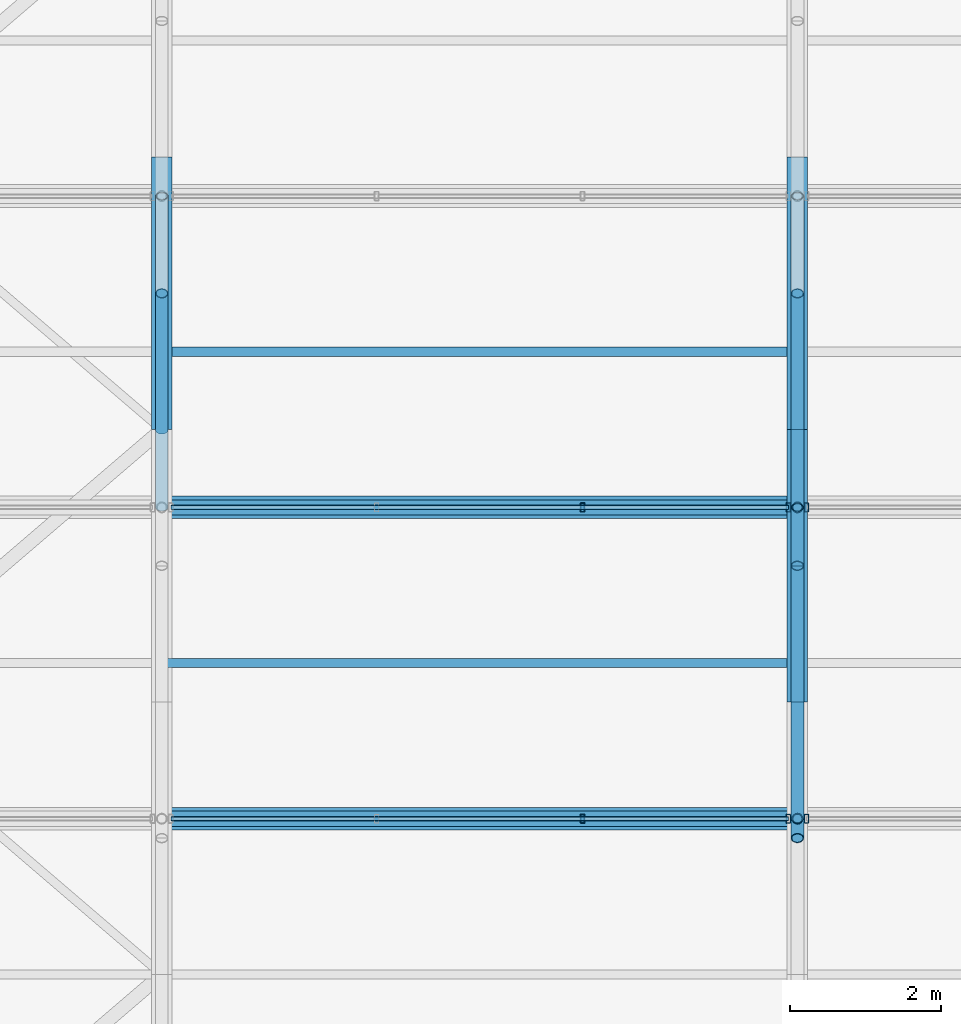
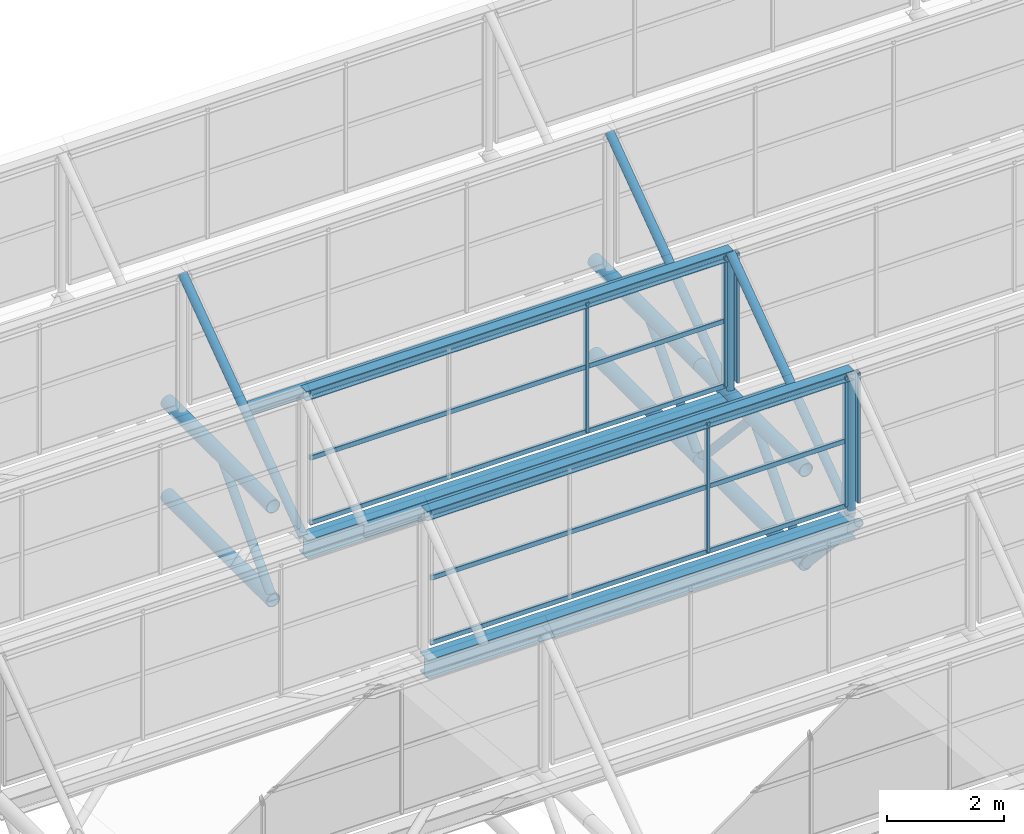
# One storey, part 61 of 134: 28 members, 6 beams, 4 elements without a shape of their own.
"""IFC4 building model written with IfcOpenShell, lengths in metres."""

from ifc_helpers import new_model, si_unit, derived_unit, direction, frame, origin, origin_2d, place, context, subcontext, project, spatial, hollow_rectangle, hollow_circle, i_section, extrude, material, material_profile, profile_set, type_object, element, aggregate, save


model = new_model("IFC4")

# Units and contexts
model_context = context("Model", 3, precision=1e-05, world=origin(), true_north=direction((0.0, 1.0)))
body_context = subcontext(model_context, "Body", "Model", "MODEL_VIEW")
ifc_project = project(units=[si_unit("LENGTHUNIT", "METRE"), si_unit("AREAUNIT", "SQUARE_METRE"), si_unit("VOLUMEUNIT", "CUBIC_METRE"), si_unit("PLANEANGLEUNIT", "RADIAN"), si_unit("MASSUNIT", "GRAM", prefix="KILO"), derived_unit("THERMALTRANSMITTANCEUNIT", [(si_unit("MASSUNIT", "GRAM", prefix="KILO"), 1), (si_unit("TIMEUNIT", "SECOND"), -3), (si_unit("THERMODYNAMICTEMPERATUREUNIT", "KELVIN"), -1)])], contexts=[model_context])

# Site, building, storey
site_placement = place(None, origin())
site = spatial("IfcSite", under=ifc_project, at=site_placement, CompositionType="ELEMENT")
building_placement = place(site_placement, origin())
building = spatial("IfcBuilding", under=site, at=building_placement, Name="Kharveza Railside Sports Centre", CompositionType="ELEMENT")
storey_placement = place(building_placement, frame((0.0, 0.0, 12.89990234375)))
storey = spatial("IfcBuildingStorey", under=building, at=storey_placement, Name="L03", CompositionType="ELEMENT", Elevation=12.89990234375)

# Beams
ifc_material_1 = material(Name="Steel S355J2", Category="steel")
ifc_material_profile_1 = material_profile(ifc_material_1, i_section(OverallWidth=0.300048828125, OverallDepth=0.39990234375, WebThickness=0.013427734375, FlangeThickness=0.02392578125, FilletRadius=0.027099609375, at=origin_2d()), Name="HEB 400")
ifc_profile_set_1 = profile_set([ifc_material_profile_1], Name="Steel S355J2")
beam_type_1 = type_object("IfcBeamType", Name="BM-G07", PredefinedType="T_BEAM", material=ifc_profile_set_1)
for number, where, z_axis, x_axis, name in (
    (1, (100.800048828125, 95.656982421875, 1.760009765625), (1.0, 0.0, 0.0), (0.0, 1.0, 0.0), "BM-V2SAW-VAL-5-2"),
    (2, (100.800048828125, 99.771484375, 1.760009765625), (1.0, 0.0, 0.0), (0.0, 1.0, 0.0), "BM-V2SAW-VAL-6-2"),
):
    element("IfcBeam", number, at=place(storey_placement, frame(where, z_axis=z_axis, x_axis=x_axis)), inside=storey, type_object=beam_type_1, Name=name, PredefinedType="T_BEAM", context=body_context, shape_type="SweptSolid", body=[
        extrude(i_section(OverallWidth=0.300048828125, OverallDepth=0.39990234375, WebThickness=0.013427734375, FlangeThickness=0.02392578125, FilletRadius=0.027099609375, at=origin_2d()), origin(), (0.0, 0.0, 1.0), 8.39990234375),
    ])
ifc_material_2 = material(Name="Steel S275JR", Category="steel")
ifc_material_profile_2 = material_profile(ifc_material_2, i_section(OverallWidth=0.1201171875, OverallDepth=0.239990234375, WebThickness=0.006103515625, FlangeThickness=0.009765625, FilletRadius=0.014892578125, at=origin_2d()), Name="IPE 240")
ifc_profile_set_2 = profile_set([ifc_material_profile_2], Name="Steel S275JR")
beam_type_2 = type_object("IfcBeamType", Name="BM-J01", PredefinedType="JOIST", material=ifc_profile_set_2)
for number, where, z_axis, x_axis, name in (
    (3, (100.800048828125, 97.714111328125, 3.320068359375), (1.0, 0.0, 0.0), (0.0, 1.0, 0.0), "BM-V2SAW-PUR-5-2"),
    (4, (100.800048828125, 101.82861328125, 3.320068359375), (1.0, 0.0, 0.0), (0.0, 1.0, 0.0), "BM-V2SAW-PUR-6-2"),
):
    element("IfcBeam", number, at=place(storey_placement, frame(where, z_axis=z_axis, x_axis=x_axis)), inside=storey, type_object=beam_type_2, Name=name, PredefinedType="JOIST", context=body_context, shape_type="SweptSolid", body=[
        extrude(i_section(OverallWidth=0.1201171875, OverallDepth=0.239990234375, WebThickness=0.006103515625, FlangeThickness=0.009765625, FilletRadius=0.014892578125, at=origin_2d()), origin(), (0.0, 0.0, 1.0), 8.39990234375),
    ])
ifc_material_profile_3 = material_profile(ifc_material_2, i_section(OverallWidth=0.199951171875, OverallDepth=0.199951171875, WebThickness=0.009033203125, FlangeThickness=0.014892578125, FilletRadius=0.01806640625, at=origin_2d()), Name="HEB 200")
ifc_profile_set_3 = profile_set([ifc_material_profile_3], Name="Steel S275JR")
beam_type_3 = type_object("IfcBeamType", Name="BM-J05", PredefinedType="JOIST", material=ifc_profile_set_3)
for number, where, z_axis, x_axis, name in (
    (5, (100.800048828125, 95.656982421875, 4.920166015625), (1.0, 0.0, 0.0), (0.0, 1.0, 0.0), "BM-V2SAW-RDG-4-2"),
    (6, (100.800048828125, 99.771484375, 4.920166015625), (1.0, 0.0, 0.0), (0.0, 1.0, 0.0), "BM-V2SAW-RDG-5-2"),
):
    element("IfcBeam", number, at=place(storey_placement, frame(where, z_axis=z_axis, x_axis=x_axis)), inside=storey, type_object=beam_type_3, Name=name, PredefinedType="JOIST", context=body_context, shape_type="SweptSolid", body=[
        extrude(i_section(OverallWidth=0.199951171875, OverallDepth=0.199951171875, WebThickness=0.009033203125, FlangeThickness=0.014892578125, FilletRadius=0.01806640625, at=origin_2d()), origin(), (0.0, 0.0, 1.0), 8.39990234375),
    ])

# Curtain wall, members
ifc_material_3 = material(Name="Low-E solar-control laminated glass", Category="glass")
curtain_wall_type = type_object("IfcCurtainWallType", Name="CW-NL02", PredefinedType="NOTDEFINED", material=ifc_material_3)
curtain_wall_1_placement = place(storey_placement, origin())
curtain_wall_1 = element("IfcCurtainWall", 7, at=curtain_wall_1_placement, inside=storey, type_object=curtain_wall_type, Name="CW-V2NL-4-2", PredefinedType="NOTDEFINED")
ifc_material_4 = material(Name="Anodised aluminium 6063-T6", Category="aluminium")
ifc_material_profile_4 = material_profile(ifc_material_4, hollow_rectangle(XDim=0.06005859375, YDim=0.1201171875, WallThickness=0.0048828125, InnerFilletRadius=0.0048828125, OuterFilletRadius=0.010009765625, at=origin_2d()), Name="RHS 60x120x5.0")
ifc_profile_set_4 = profile_set([ifc_material_profile_4], Name="Anodised aluminium 6063-T6")
member_type_1 = type_object("IfcMemberType", Name="CW-ML05", PredefinedType="MULLION", material=ifc_profile_set_4)
member_1_placement = place(storey_placement, frame((106.360107421875, 95.656982421875, 2.2001953125), z_axis=(0.0, 0.0, 1.0), x_axis=(1.0, 0.0, 0.0)))
member_1 = element("IfcMember", 8, at=member_1_placement, type_object=member_type_1, Name="CW-V2NL-4-2-ML3", PredefinedType="MULLION", context=body_context, shape_type="SweptSolid", body=[
    extrude(hollow_rectangle(XDim=0.06005859375, YDim=0.1201171875, WallThickness=0.0048828125, InnerFilletRadius=0.0048828125, OuterFilletRadius=0.010009765625, at=origin_2d()), origin(), (0.0, 0.0, 1.0), 2.699951171875),
])
member_2_placement = place(storey_placement, frame((109.080078125, 95.656982421875, 2.2001953125), z_axis=(0.0, 0.0, 1.0), x_axis=(1.0, 0.0, 0.0)))
member_2 = element("IfcMember", 9, at=member_2_placement, type_object=member_type_1, Name="CW-V2NL-4-2-ML4", PredefinedType="MULLION", context=body_context, shape_type="SweptSolid", body=[
    extrude(hollow_rectangle(XDim=0.06005859375, YDim=0.1201171875, WallThickness=0.0048828125, InnerFilletRadius=0.0048828125, OuterFilletRadius=0.010009765625, at=origin_2d()), origin(), (0.0, 0.0, 1.0), 2.699951171875),
])

# Curtain wall, member
curtain_wall_2_placement = place(storey_placement, origin())
curtain_wall_2 = element("IfcCurtainWall", 10, at=curtain_wall_2_placement, inside=storey, type_object=curtain_wall_type, Name="CW-V2NL-4-3", PredefinedType="NOTDEFINED")
member_3_placement = place(storey_placement, frame((109.320068359375, 95.656982421875, 2.2001953125), z_axis=(0.0, 0.0, 1.0), x_axis=(1.0, 0.0, 0.0)))
member_3 = element("IfcMember", 11, at=member_3_placement, type_object=member_type_1, Name="CW-V2NL-4-3-ML1", PredefinedType="MULLION", context=body_context, shape_type="SweptSolid", body=[
    extrude(hollow_rectangle(XDim=0.06005859375, YDim=0.1201171875, WallThickness=0.0048828125, InnerFilletRadius=0.0048828125, OuterFilletRadius=0.010009765625, at=origin_2d()), origin(), (0.0, 0.0, 1.0), 2.699951171875),
])
aggregate(curtain_wall_2, [member_3])

# Curtain wall, members
curtain_wall_3_placement = place(storey_placement, origin())
curtain_wall_3 = element("IfcCurtainWall", 12, at=curtain_wall_3_placement, inside=storey, type_object=curtain_wall_type, Name="CW-V2NL-5-2", PredefinedType="NOTDEFINED")
member_4_placement = place(storey_placement, frame((106.360107421875, 99.771484375, 2.2001953125), z_axis=(0.0, 0.0, 1.0), x_axis=(1.0, 0.0, 0.0)))
member_4 = element("IfcMember", 13, at=member_4_placement, type_object=member_type_1, Name="CW-V2NL-5-2-ML3", PredefinedType="MULLION", context=body_context, shape_type="SweptSolid", body=[
    extrude(hollow_rectangle(XDim=0.06005859375, YDim=0.1201171875, WallThickness=0.0048828125, InnerFilletRadius=0.0048828125, OuterFilletRadius=0.010009765625, at=origin_2d()), origin(), (0.0, 0.0, 1.0), 2.699951171875),
])
member_5_placement = place(storey_placement, frame((109.080078125, 99.771484375, 2.2001953125), z_axis=(0.0, 0.0, 1.0), x_axis=(1.0, 0.0, 0.0)))
member_5 = element("IfcMember", 14, at=member_5_placement, type_object=member_type_1, Name="CW-V2NL-5-2-ML4", PredefinedType="MULLION", context=body_context, shape_type="SweptSolid", body=[
    extrude(hollow_rectangle(XDim=0.06005859375, YDim=0.1201171875, WallThickness=0.0048828125, InnerFilletRadius=0.0048828125, OuterFilletRadius=0.010009765625, at=origin_2d()), origin(), (0.0, 0.0, 1.0), 2.699951171875),
])

# Curtain wall, member
curtain_wall_4_placement = place(storey_placement, origin())
curtain_wall_4 = element("IfcCurtainWall", 15, at=curtain_wall_4_placement, inside=storey, type_object=curtain_wall_type, Name="CW-V2NL-5-3", PredefinedType="NOTDEFINED")
member_6_placement = place(storey_placement, frame((109.320068359375, 99.771484375, 2.2001953125), z_axis=(0.0, 0.0, 1.0), x_axis=(1.0, 0.0, 0.0)))
member_6 = element("IfcMember", 16, at=member_6_placement, type_object=member_type_1, Name="CW-V2NL-5-3-ML1", PredefinedType="MULLION", context=body_context, shape_type="SweptSolid", body=[
    extrude(hollow_rectangle(XDim=0.06005859375, YDim=0.1201171875, WallThickness=0.0048828125, InnerFilletRadius=0.0048828125, OuterFilletRadius=0.010009765625, at=origin_2d()), origin(), (0.0, 0.0, 1.0), 2.699951171875),
])
aggregate(curtain_wall_4, [member_6])

# Member
ifc_material_profile_5 = material_profile(ifc_material_4, hollow_rectangle(XDim=0.06005859375, YDim=0.10009765625, WallThickness=0.00390625, InnerFilletRadius=0.00390625, OuterFilletRadius=0.008056640625, at=origin_2d()), Name="RHS 60x100x4.0")
ifc_profile_set_5 = profile_set([ifc_material_profile_5], Name="Anodised aluminium 6063-T6")
member_type_2 = type_object("IfcMemberType", Name="CW-TR05", PredefinedType="USERDEFINED", material=ifc_profile_set_5)
member_7_placement = place(storey_placement, frame((100.919921875, 95.656982421875, 2.2001953125), z_axis=(1.0, 0.0, 0.0), x_axis=(0.0, 1.0, 0.0)))
member_7 = element("IfcMember", 17, at=member_7_placement, type_object=member_type_2, Name="CW-V2NL-4-2-TR1", ObjectType="TRANSOM", PredefinedType="USERDEFINED", context=body_context, shape_type="SweptSolid", body=[
    extrude(hollow_rectangle(XDim=0.06005859375, YDim=0.10009765625, WallThickness=0.00390625, InnerFilletRadius=0.00390625, OuterFilletRadius=0.008056640625, at=origin_2d()), origin(), (0.0, 0.0, 1.0), 8.16015625),
])

member_8_placement = place(storey_placement, frame((100.919921875, 95.656982421875, 3.550048828125), z_axis=(1.0, 0.0, 0.0), x_axis=(0.0, 1.0, 0.0)))
member_8 = element("IfcMember", 18, at=member_8_placement, type_object=member_type_2, Name="CW-V2NL-4-2-TR2", ObjectType="TRANSOM", PredefinedType="USERDEFINED", context=body_context, shape_type="SweptSolid", body=[
    extrude(hollow_rectangle(XDim=0.06005859375, YDim=0.10009765625, WallThickness=0.00390625, InnerFilletRadius=0.00390625, OuterFilletRadius=0.008056640625, at=origin_2d()), origin(), (0.0, 0.0, 1.0), 8.16015625),
])

member_9_placement = place(storey_placement, frame((100.919921875, 95.656982421875, 4.900146484375), z_axis=(1.0, 0.0, 0.0), x_axis=(0.0, 1.0, 0.0)))
member_9 = element("IfcMember", 19, at=member_9_placement, type_object=member_type_2, Name="CW-V2NL-4-2-TR3", ObjectType="TRANSOM", PredefinedType="USERDEFINED", context=body_context, shape_type="SweptSolid", body=[
    extrude(hollow_rectangle(XDim=0.06005859375, YDim=0.10009765625, WallThickness=0.00390625, InnerFilletRadius=0.00390625, OuterFilletRadius=0.008056640625, at=origin_2d()), origin(), (0.0, 0.0, 1.0), 8.16015625),
])

aggregate(curtain_wall_1, [member_1, member_2, member_7, member_8, member_9])

member_10_placement = place(storey_placement, frame((100.919921875, 99.771484375, 2.2001953125), z_axis=(1.0, 0.0, 0.0), x_axis=(0.0, 1.0, 0.0)))
member_10 = element("IfcMember", 20, at=member_10_placement, type_object=member_type_2, Name="CW-V2NL-5-2-TR1", ObjectType="TRANSOM", PredefinedType="USERDEFINED", context=body_context, shape_type="SweptSolid", body=[
    extrude(hollow_rectangle(XDim=0.06005859375, YDim=0.10009765625, WallThickness=0.00390625, InnerFilletRadius=0.00390625, OuterFilletRadius=0.008056640625, at=origin_2d()), origin(), (0.0, 0.0, 1.0), 8.16015625),
])

member_11_placement = place(storey_placement, frame((100.919921875, 99.771484375, 3.550048828125), z_axis=(1.0, 0.0, 0.0), x_axis=(0.0, 1.0, 0.0)))
member_11 = element("IfcMember", 21, at=member_11_placement, type_object=member_type_2, Name="CW-V2NL-5-2-TR2", ObjectType="TRANSOM", PredefinedType="USERDEFINED", context=body_context, shape_type="SweptSolid", body=[
    extrude(hollow_rectangle(XDim=0.06005859375, YDim=0.10009765625, WallThickness=0.00390625, InnerFilletRadius=0.00390625, OuterFilletRadius=0.008056640625, at=origin_2d()), origin(), (0.0, 0.0, 1.0), 8.16015625),
])

member_12_placement = place(storey_placement, frame((100.919921875, 99.771484375, 4.900146484375), z_axis=(1.0, 0.0, 0.0), x_axis=(0.0, 1.0, 0.0)))
member_12 = element("IfcMember", 22, at=member_12_placement, type_object=member_type_2, Name="CW-V2NL-5-2-TR3", ObjectType="TRANSOM", PredefinedType="USERDEFINED", context=body_context, shape_type="SweptSolid", body=[
    extrude(hollow_rectangle(XDim=0.06005859375, YDim=0.10009765625, WallThickness=0.00390625, InnerFilletRadius=0.00390625, OuterFilletRadius=0.008056640625, at=origin_2d()), origin(), (0.0, 0.0, 1.0), 8.16015625),
])

aggregate(curtain_wall_3, [member_4, member_5, member_10, member_11, member_12])

# Members
ifc_material_profile_6 = material_profile(ifc_material_1, hollow_circle(Radius=0.136474609375, WallThickness=0.01416015625, at=origin_2d()), Name="CHS 273.0x14.2")
ifc_profile_set_6 = profile_set([ifc_material_profile_6], Name="Steel S355J2")
member_type_3 = type_object("IfcMemberType", Name="MB-CH03", PredefinedType="CHORD", material=ifc_profile_set_6)
for number, where, z_axis, x_axis, name in (
    (23, (100.800048828125, 100.800048828125, 0.0), (0.0, 1.0, 0.0), (-1.0, 0.0, 0.0), "MB-V2TR-BC-2-7"),
    (24, (100.800048828125, 100.800048828125, 1.9501953125), (0.0, 1.0, 0.0), (-1.0, 0.0, 0.0), "MB-V2TR-TC-2-7"),
):
    element("IfcMember", number, at=place(storey_placement, frame(where, z_axis=z_axis, x_axis=x_axis)), inside=storey, type_object=member_type_3, Name=name, PredefinedType="CHORD", context=body_context, shape_type="SweptSolid", body=[
        extrude(hollow_circle(Radius=0.136474609375, WallThickness=0.01416015625, at=origin_2d()), origin(), (0.0, 0.0, 1.0), 3.599853515625),
    ])
for number, where, z_axis, x_axis, name in (
    (25, (109.199951171875, 97.199951171875, 0.0), (0.0, 1.0, 0.0), (-1.0, 0.0, 0.0), "MB-V2TR-BC-3-6"),
    (26, (109.199951171875, 97.199951171875, 1.9501953125), (0.0, 1.0, 0.0), (-1.0, 0.0, 0.0), "MB-V2TR-TC-3-6"),
):
    element("IfcMember", number, at=place(storey_placement, frame(where, z_axis=z_axis, x_axis=x_axis)), inside=storey, type_object=member_type_3, Name=name, PredefinedType="CHORD", context=body_context, shape_type="SweptSolid", body=[
        extrude(hollow_circle(Radius=0.136474609375, WallThickness=0.01416015625, at=origin_2d()), origin(), (0.0, 0.0, 1.0), 3.60009765625),
    ])
for number, where, z_axis, x_axis, name in (
    (27, (109.199951171875, 100.800048828125, 0.0), (0.0, 1.0, 0.0), (-1.0, 0.0, 0.0), "MB-V2TR-BC-3-7"),
    (28, (109.199951171875, 100.800048828125, 1.9501953125), (0.0, 1.0, 0.0), (-1.0, 0.0, 0.0), "MB-V2TR-TC-3-7"),
):
    element("IfcMember", number, at=place(storey_placement, frame(where, z_axis=z_axis, x_axis=x_axis)), inside=storey, type_object=member_type_3, Name=name, PredefinedType="CHORD", context=body_context, shape_type="SweptSolid", body=[
        extrude(hollow_circle(Radius=0.136474609375, WallThickness=0.01416015625, at=origin_2d()), origin(), (0.0, 0.0, 1.0), 3.599853515625),
    ])
ifc_material_profile_7 = material_profile(ifc_material_1, hollow_circle(Radius=0.084228515625, WallThickness=0.010009765625, at=origin_2d()), Name="CHS 168.3x10.0")
ifc_profile_set_7 = profile_set([ifc_material_profile_7], Name="Steel S355J2")
member_type_4 = type_object("IfcMemberType", Name="MB-ST03", PredefinedType="STRUT", material=ifc_profile_set_7)
for number, where, z_axis, x_axis, name in (
    (29, (100.800048828125, 100.800048828125, 0.0), (0.0, 0.67825335715, 0.734828131956), (-1.0, 0.0, 0.0), "MB-V2TR-D1-2-7"),
    (30, (109.199951171875, 95.39990234375, 1.9501953125), (0.0, 0.67825335715, -0.734828131956), (-1.0, 0.0, 0.0), "MB-V2TR-D2-3-5"),
    (31, (109.199951171875, 97.199951171875, 0.0), (0.0, 0.67825335715, 0.734828131956), (-1.0, 0.0, 0.0), "MB-V2TR-D1-3-6"),
    (32, (109.199951171875, 99.0, 1.9501953125), (0.0, 0.67825335715, -0.734828131956), (-1.0, 0.0, 0.0), "MB-V2TR-D2-3-6"),
    (33, (109.199951171875, 100.800048828125, 0.0), (0.0, 0.67825335715, 0.734828131956), (-1.0, 0.0, 0.0), "MB-V2TR-D1-3-7"),
):
    element("IfcMember", number, at=place(storey_placement, frame(where, z_axis=z_axis, x_axis=x_axis)), inside=storey, type_object=member_type_4, Name=name, PredefinedType="STRUT", context=body_context, shape_type="SweptSolid", body=[
        extrude(hollow_circle(Radius=0.084228515625, WallThickness=0.010009765625, at=origin_2d()), origin(), (0.0, 0.0, 1.0), 2.654052734375),
    ])
member_13_placement = place(storey_placement, frame((109.199951171875, 95.656982421875, 1.9501953125), z_axis=(0.0, 0.810830173333, 0.585281496386), x_axis=(-1.0, 0.0, 0.0)))
element("IfcMember", 34, at=member_13_placement, inside=storey, type_object=member_type_4, Name="MB-V2SAW-RFT-5-3", PredefinedType="STRUT", context=body_context, shape_type="SweptSolid", body=[
    extrude(hollow_circle(Radius=0.084228515625, WallThickness=0.010009765625, at=origin_2d()), origin(), (0.0, 0.0, 1.0), 5.074462890625),
])
for number, where, z_axis, x_axis, name in (
    (35, (100.800048828125, 99.771484375, 1.9501953125), (0.0, 0.810813691418, 0.585304329225), (-1.0, 0.0, 0.0), "MB-V2SAW-RFT-6-2"),
    (36, (109.199951171875, 99.771484375, 1.9501953125), (0.0, 0.810813691418, 0.585304329225), (-1.0, 0.0, 0.0), "MB-V2SAW-RFT-6-3"),
):
    element("IfcMember", number, at=place(storey_placement, frame(where, z_axis=z_axis, x_axis=x_axis)), inside=storey, type_object=member_type_4, Name=name, PredefinedType="STRUT", context=body_context, shape_type="SweptSolid", body=[
        extrude(hollow_circle(Radius=0.084228515625, WallThickness=0.010009765625, at=origin_2d()), origin(), (0.0, 0.0, 1.0), 5.07421875),
    ])
ifc_material_profile_8 = material_profile(ifc_material_1, hollow_circle(Radius=0.06982421875, WallThickness=0.008056640625, at=origin_2d()), Name="CHS 139.7x8.0")
ifc_profile_set_8 = profile_set([ifc_material_profile_8], Name="Steel S355J2")
member_type_5 = type_object("IfcMemberType", Name="MB-ST04", PredefinedType="STRUT", material=ifc_profile_set_8)
for number, where, z_axis, x_axis, name in (
    (37, (109.199951171875, 95.656982421875, 1.9501953125), (0.0, 0.0, 1.0), (1.0, 0.0, 0.0), "MB-V2SAW-PST-4-3"),
    (38, (109.199951171875, 99.771484375, 1.9501953125), (0.0, 0.0, 1.0), (1.0, 0.0, 0.0), "MB-V2SAW-PST-5-3"),
):
    element("IfcMember", number, at=place(storey_placement, frame(where, z_axis=z_axis, x_axis=x_axis)), inside=storey, type_object=member_type_5, Name=name, PredefinedType="STRUT", context=body_context, shape_type="SweptSolid", body=[
        extrude(hollow_circle(Radius=0.06982421875, WallThickness=0.008056640625, at=origin_2d()), origin(), (0.0, 0.0, 1.0), 2.969970703125),
    ])

save(model, "model.ifc")
